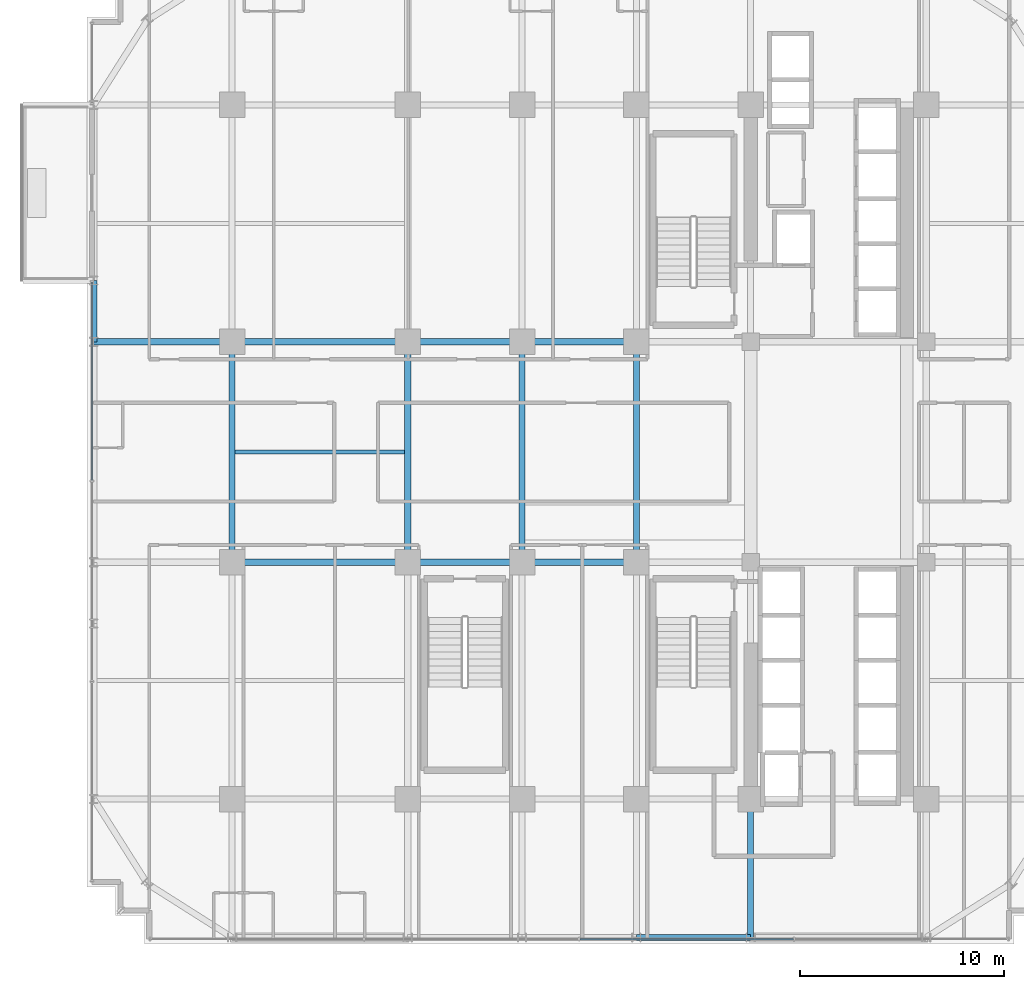
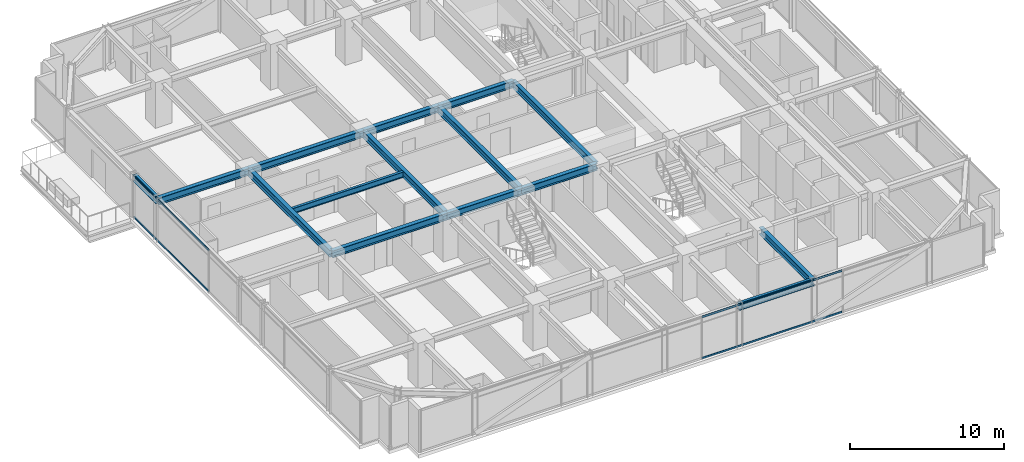
# One storey, part 9 of 39: 15 beams, 4 members, 2 elements without a shape of their own.
"""IFC4 building model written with IfcOpenShell, lengths in metres."""

from ifc_helpers import new_model, si_unit, direction, frame, origin, origin_2d, place, context, subcontext, project, spatial, hollow_rectangle, i_section, extrude, source, transform, mapped, material, material_profile, profile_set, type_object, element, aggregate, save


model = new_model("IFC4")

# Units and contexts
model_context = context("Model", 3, precision=1e-05, world=origin(), true_north=direction((0.0, 1.0)))
body_context = subcontext(model_context, "Body", "Model", "MODEL_VIEW")
ifc_project = project(units=[si_unit("LENGTHUNIT", "METRE"), si_unit("AREAUNIT", "SQUARE_METRE"), si_unit("VOLUMEUNIT", "CUBIC_METRE"), si_unit("PLANEANGLEUNIT", "RADIAN"), si_unit("MASSUNIT", "GRAM", prefix="KILO")], contexts=[model_context])

# Site, building, storey
site_placement = place(None, origin())
site = spatial("IfcSite", under=ifc_project, at=site_placement, CompositionType="ELEMENT")
building_placement = place(site_placement, origin())
building = spatial("IfcBuilding", under=site, at=building_placement, Name="Nahalor Promenade Grand Hotel", CompositionType="ELEMENT")
storey_placement = place(building_placement, frame((0.0, 0.0, 135.75)))
storey = spatial("IfcBuildingStorey", under=building, at=storey_placement, Name="L34", CompositionType="ELEMENT", Elevation=135.75)

# Beams
ifc_material_1 = material(Name="Steel S355JR", Category="steel")
ifc_material_profile_1 = material_profile(ifc_material_1, i_section(OverallWidth=0.3, OverallDepth=0.5, WebThickness=0.0145, FlangeThickness=0.028, at=origin_2d()), Name="HEB 500")
ifc_profile_set_1 = profile_set([ifc_material_profile_1], Name="Steel S355JR")
beam_type_1 = type_object("IfcBeamType", Name="Beam-Spandrel-HEB500", PredefinedType="SPANDREL", material=ifc_profile_set_1)
shared_shape_1 = source(origin(), body_context, "Body", "SweptSolid", [
    extrude(i_section(OverallWidth=0.3, OverallDepth=0.5, WebThickness=0.0145, FlangeThickness=0.028, at=origin_2d()), origin(), (0.0, 0.0, 1.0), 5.599853515625),
])
beam_1_placement = place(storey_placement, frame((2.800048828125, -23.780029296875, 3.1298828125), z_axis=(1.0, 0.0, 0.0), x_axis=(0.0, 1.0, 0.0)))
element("IfcBeam", 1, at=beam_1_placement, inside=storey, type_object=beam_type_1, Name="BM-L34-SP-S-3", PredefinedType="SPANDREL", context=body_context, shape_type="MappedRepresentation", body=[
    mapped(shared_shape_1, transform((0.0, 0.0, 0.0), scale=1.0)),
])
shared_shape_2 = source(origin(), body_context, "Body", "SweptSolid", [
    extrude(i_section(OverallWidth=0.3, OverallDepth=0.5, WebThickness=0.0145, FlangeThickness=0.028, at=origin_2d()), origin(), (0.0, 0.0, 1.0), 3.0),
])
beam_2_placement = place(storey_placement, frame((-23.780029296875, 5.39990234375, 3.1298828125), z_axis=(0.0, 1.0, 0.0), x_axis=(-1.0, 0.0, 0.0)))
element("IfcBeam", 2, at=beam_2_placement, inside=storey, type_object=beam_type_1, Name="BM-L34-SP-W-3", PredefinedType="SPANDREL", context=body_context, shape_type="MappedRepresentation", body=[
    mapped(shared_shape_2, transform((0.0, 0.0, 0.0), scale=1.0)),
])
ifc_material_profile_2 = material_profile(ifc_material_1, i_section(OverallWidth=0.3, OverallDepth=0.55, WebThickness=0.015, FlangeThickness=0.029, at=origin_2d()), Name="HEB 550")
ifc_profile_set_2 = profile_set([ifc_material_profile_2], Name="Steel S355JR")
beam_type_2 = type_object("IfcBeamType", Name="Beam-Girder-HEB550", PredefinedType="BEAM", material=ifc_profile_set_2)
shared_shape_3 = source(origin(), body_context, "Body", "SweptSolid", [
    extrude(i_section(OverallWidth=0.3, OverallDepth=0.55, WebThickness=0.015, FlangeThickness=0.029, at=origin_2d()), origin(), (0.0, 0.0, 1.0), 6.780029296875),
])
for number, where, z_axis, x_axis, name in (
    (3, (-23.780029296875, 5.39990234375, 3.10498046875), (1.0, 0.0, 0.0), (0.0, 1.0, 0.0), "BM-L34-GX-2-0"),
    (4, (8.39990234375, -23.780029296875, 3.10498046875), (0.0, 1.0, 0.0), (-1.0, 0.0, 0.0), "BM-L34-GY-4-0"),
):
    element("IfcBeam", number, at=place(storey_placement, frame(where, z_axis=z_axis, x_axis=x_axis)), inside=storey, type_object=beam_type_2, Name=name, PredefinedType="BEAM", context=body_context, shape_type="MappedRepresentation", body=[
        mapped(shared_shape_3, transform((0.0, 0.0, 0.0), scale=1.0)),
    ])
shared_shape_4 = source(origin(), body_context, "Body", "SweptSolid", [
    extrude(i_section(OverallWidth=0.3, OverallDepth=0.55, WebThickness=0.015, FlangeThickness=0.029, at=origin_2d()), origin(), (0.0, 0.0, 1.0), 8.60009765625),
])
for number, where, z_axis, x_axis, name in (
    (5, (-17.0, -5.39990234375, 3.10498046875), (1.0, 0.0, 0.0), (0.0, 1.0, 0.0), "BM-L34-GX-1-1"),
    (6, (-17.0, 5.39990234375, 3.10498046875), (1.0, 0.0, 0.0), (0.0, 1.0, 0.0), "BM-L34-GX-2-1"),
):
    element("IfcBeam", number, at=place(storey_placement, frame(where, z_axis=z_axis, x_axis=x_axis)), inside=storey, type_object=beam_type_2, Name=name, PredefinedType="BEAM", context=body_context, shape_type="MappedRepresentation", body=[
        mapped(shared_shape_4, transform((0.0, 0.0, 0.0), scale=1.0)),
    ])
shared_shape_5 = source(origin(), body_context, "Body", "SweptSolid", [
    extrude(i_section(OverallWidth=0.3, OverallDepth=0.55, WebThickness=0.015, FlangeThickness=0.029, at=origin_2d()), origin(), (0.0, 0.0, 1.0), 5.599853515625),
])
for number, where, z_axis, x_axis, name in (
    (7, (-8.39990234375, -5.39990234375, 3.10498046875), (1.0, 0.0, 0.0), (0.0, 1.0, 0.0), "BM-L34-GX-1-2"),
    (8, (-8.39990234375, 5.39990234375, 3.10498046875), (1.0, 0.0, 0.0), (0.0, 1.0, 0.0), "BM-L34-GX-2-2"),
):
    element("IfcBeam", number, at=place(storey_placement, frame(where, z_axis=z_axis, x_axis=x_axis)), inside=storey, type_object=beam_type_2, Name=name, PredefinedType="BEAM", context=body_context, shape_type="MappedRepresentation", body=[
        mapped(shared_shape_5, transform((0.0, 0.0, 0.0), scale=1.0)),
    ])
shared_shape_6 = source(origin(), body_context, "Body", "SweptSolid", [
    extrude(i_section(OverallWidth=0.3, OverallDepth=0.55, WebThickness=0.015, FlangeThickness=0.029, at=origin_2d()), origin(), (0.0, 0.0, 1.0), 5.60009765625),
])
for number, where, z_axis, x_axis, name in (
    (9, (-2.800048828125, -5.39990234375, 3.10498046875), (1.0, 0.0, 0.0), (0.0, 1.0, 0.0), "BM-L34-GX-1-3"),
    (10, (-2.800048828125, 5.39990234375, 3.10498046875), (1.0, 0.0, 0.0), (0.0, 1.0, 0.0), "BM-L34-GX-2-3"),
):
    element("IfcBeam", number, at=place(storey_placement, frame(where, z_axis=z_axis, x_axis=x_axis)), inside=storey, type_object=beam_type_2, Name=name, PredefinedType="BEAM", context=body_context, shape_type="MappedRepresentation", body=[
        mapped(shared_shape_6, transform((0.0, 0.0, 0.0), scale=1.0)),
    ])
shared_shape_7 = source(origin(), body_context, "Body", "SweptSolid", [
    extrude(i_section(OverallWidth=0.3, OverallDepth=0.55, WebThickness=0.015, FlangeThickness=0.029, at=origin_2d()), origin(), (0.0, 0.0, 1.0), 10.7998046875),
])
for number, where, z_axis, x_axis, name in (
    (11, (-17.0, -5.39990234375, 3.10498046875), (0.0, 1.0, 0.0), (-1.0, 0.0, 0.0), "BM-L34-GY-0-2"),
    (12, (-8.39990234375, -5.39990234375, 3.10498046875), (0.0, 1.0, 0.0), (-1.0, 0.0, 0.0), "BM-L34-GY-1-2"),
    (13, (-2.800048828125, -5.39990234375, 3.10498046875), (0.0, 1.0, 0.0), (-1.0, 0.0, 0.0), "BM-L34-GY-2-2"),
    (14, (2.800048828125, -5.39990234375, 3.10498046875), (0.0, 1.0, 0.0), (-1.0, 0.0, 0.0), "BM-L34-GY-3-2"),
):
    element("IfcBeam", number, at=place(storey_placement, frame(where, z_axis=z_axis, x_axis=x_axis)), inside=storey, type_object=beam_type_2, Name=name, PredefinedType="BEAM", context=body_context, shape_type="MappedRepresentation", body=[
        mapped(shared_shape_7, transform((0.0, 0.0, 0.0), scale=1.0)),
    ])
ifc_material_profile_3 = material_profile(ifc_material_1, i_section(OverallWidth=0.19, OverallDepth=0.45, WebThickness=0.0094, FlangeThickness=0.0146, at=origin_2d()), Name="IPE 450")
ifc_profile_set_3 = profile_set([ifc_material_profile_3], Name="Steel S355JR")
beam_type_3 = type_object("IfcBeamType", Name="Beam-Joist-IPE450", PredefinedType="JOIST", material=ifc_profile_set_3)
shared_shape_8 = source(origin(), body_context, "Body", "SweptSolid", [
    extrude(i_section(OverallWidth=0.19, OverallDepth=0.45, WebThickness=0.0094, FlangeThickness=0.0146, at=origin_2d()), origin(), (0.0, 0.0, 1.0), 8.300048828125),
])
beam_3_placement = place(storey_placement, frame((-16.85009765625, 0.0, 3.155029296875), z_axis=(1.0, 0.0, 0.0), x_axis=(0.0, 1.0, 0.0)))
element("IfcBeam", 15, at=beam_3_placement, inside=storey, type_object=beam_type_3, Name="BM-L34-JSC-0", PredefinedType="JOIST", context=body_context, shape_type="MappedRepresentation", body=[
    mapped(shared_shape_8, transform((0.0, 0.0, 0.0), scale=1.0)),
])

# Curtain wall, members
ifc_material_2 = material(Name="Anodised Bronze Aluminium EN AW-6063 T6", Category="aluminium")
curtain_wall_type = type_object("IfcCurtainWallType", Name="CW2 Typical Hotel Flush Bronze Unitised Curtain Wall", PredefinedType="USERDEFINED", material=ifc_material_2)
curtain_wall_1_placement = place(storey_placement, origin())
curtain_wall_1 = element("IfcCurtainWall", 16, at=curtain_wall_1_placement, inside=storey, type_object=curtain_wall_type, Name="L34 Curtain Wall CW-L34-W-1", ObjectType="UNITISED_CURTAIN_WALL", PredefinedType="USERDEFINED")
ifc_material_profile_4 = material_profile(ifc_material_2, hollow_rectangle(XDim=0.065, YDim=0.13, WallThickness=0.004, at=origin_2d()), Name="CWT 65x130x4")
ifc_profile_set_4 = profile_set([ifc_material_profile_4], Name="Anodised Bronze Aluminium EN AW-6063 T6")
member_type = type_object("IfcMemberType", Name="CWT2 Typical Bronze Transom 65x130", PredefinedType="USERDEFINED", material=ifc_profile_set_4)
shared_shape_9 = source(origin(), body_context, "Body", "SweptSolid", [
    extrude(hollow_rectangle(XDim=0.065, YDim=0.13, WallThickness=0.004, at=origin_2d()), origin(), (0.0, 0.0, 1.0), 9.722412109375),
])
member_1_placement = place(storey_placement, frame((-23.860107421875, -1.387451171875, 0.06494140625), z_axis=(0.0, 1.0, 0.0), x_axis=(-1.0, 0.0, 0.0)))
member_1 = element("IfcMember", 17, at=member_1_placement, type_object=member_type, Name="CW-L34-W-1 Transom 2-0", ObjectType="TRANSOM", PredefinedType="USERDEFINED", context=body_context, shape_type="MappedRepresentation", body=[
    mapped(shared_shape_9, transform((0.0, 0.0, 0.0), scale=1.0)),
])
member_2_placement = place(storey_placement, frame((-23.860107421875, -1.387451171875, 3.31494140625), z_axis=(0.0, 1.0, 0.0), x_axis=(-1.0, 0.0, 0.0)))
member_2 = element("IfcMember", 18, at=member_2_placement, type_object=member_type, Name="CW-L34-W-1 Transom 2-1", ObjectType="TRANSOM", PredefinedType="USERDEFINED", context=body_context, shape_type="MappedRepresentation", body=[
    mapped(shared_shape_9, transform((0.0, 0.0, 0.0), scale=1.0)),
])
aggregate(curtain_wall_1, [member_1, member_2])

curtain_wall_2_placement = place(storey_placement, origin())
curtain_wall_2 = element("IfcCurtainWall", 19, at=curtain_wall_2_placement, inside=storey, type_object=curtain_wall_type, Name="L34 Curtain Wall CW-L34-S-1", ObjectType="UNITISED_CURTAIN_WALL", PredefinedType="USERDEFINED")
shared_shape_10 = source(origin(), body_context, "Body", "SweptSolid", [
    extrude(hollow_rectangle(XDim=0.065, YDim=0.13, WallThickness=0.004, at=origin_2d()), origin(), (0.0, 0.0, 1.0), 10.465087890625),
])
member_3_placement = place(storey_placement, frame((0.032470703125, -23.860107421875, 0.06494140625), z_axis=(1.0, 0.0, 0.0), x_axis=(0.0, 1.0, 0.0)))
member_3 = element("IfcMember", 20, at=member_3_placement, type_object=member_type, Name="CW-L34-S-1 Transom 2-0", ObjectType="TRANSOM", PredefinedType="USERDEFINED", context=body_context, shape_type="MappedRepresentation", body=[
    mapped(shared_shape_10, transform((0.0, 0.0, 0.0), scale=1.0)),
])
member_4_placement = place(storey_placement, frame((0.032470703125, -23.860107421875, 3.31494140625), z_axis=(1.0, 0.0, 0.0), x_axis=(0.0, 1.0, 0.0)))
member_4 = element("IfcMember", 21, at=member_4_placement, type_object=member_type, Name="CW-L34-S-1 Transom 2-1", ObjectType="TRANSOM", PredefinedType="USERDEFINED", context=body_context, shape_type="MappedRepresentation", body=[
    mapped(shared_shape_10, transform((0.0, 0.0, 0.0), scale=1.0)),
])
aggregate(curtain_wall_2, [member_3, member_4])

save(model, "model.ifc")
